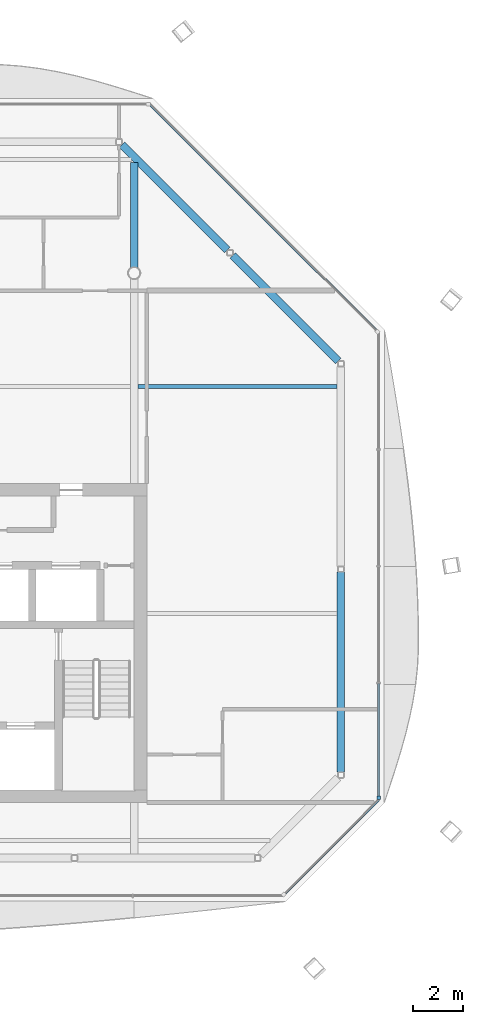
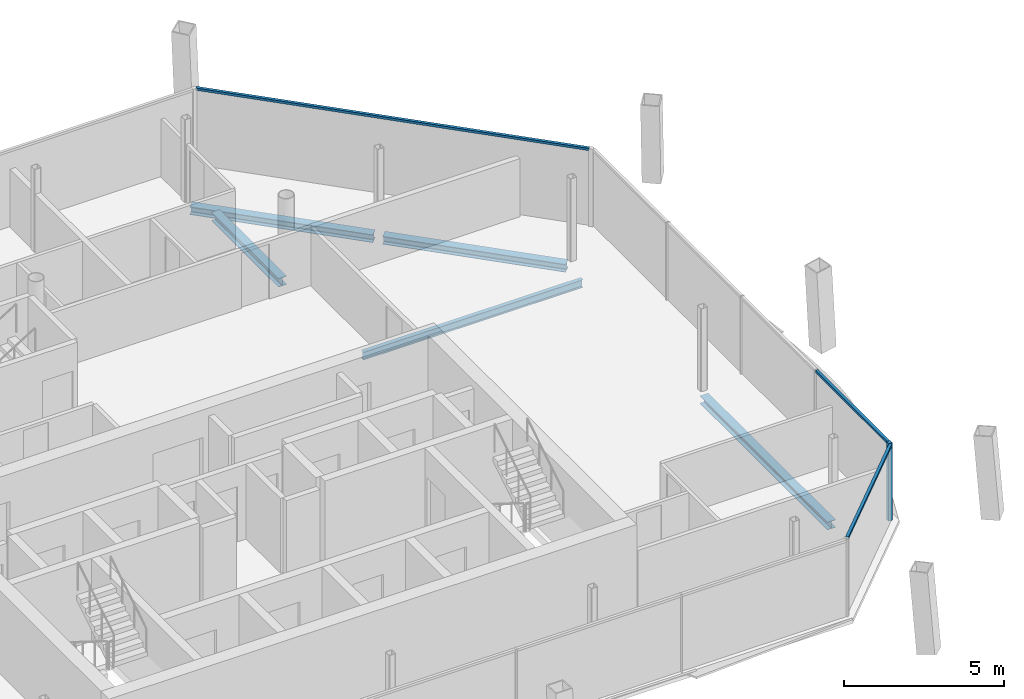
# One storey, part 6 of 13: 5 beams, 4 members, 3 elements without a shape of their own.
"""IFC4 building model written with IfcOpenShell, lengths in metres."""

import ifcopenshell
import ifcopenshell.guid

model = None  # the IFC model being written
_history = None  # IfcOwnerHistory: only IFC2X3 demands one
_inside = {}  # id of a spatial element -> (the spatial element, [elements in it])
_under = {}  # id of a project, library or spatial element -> (it, [spatial elements below it])
_declared = {}  # id of a project -> (the project, [libraries it declares])
_typed = {}  # id of a type object -> (the type object, [elements of that type])
_made_of = {}  # id of a material, layer set ... -> (it, [elements and type objects made of it])


def new_model(schema):
    """Start an empty IFC model of exactly this schema.

    Asked for "IFC4X3", IfcOpenShell would pick the latest addendum, in which some entities
    have other attributes; the version numbers below select the first issue.
    IFC2X3 requires an IfcOwnerHistory on every rooted entity: one is made here for all.
    """
    global model, _history
    if schema == "IFC4X3":
        model = ifcopenshell.file(schema_version=(4, 3, 0, 0))
    else:
        model = ifcopenshell.file(schema=schema)
    _inside.clear()
    _under.clear()
    _declared.clear()
    _typed.clear()
    _made_of.clear()
    _history = None
    if model.schema == "IFC2X3":
        org = make("IfcOrganization", Name="unknown")
        user = make(
            "IfcPersonAndOrganization",
            ThePerson=make("IfcPerson", FamilyName="unknown"),
            TheOrganization=org,
        )
        app = make(
            "IfcApplication",
            ApplicationDeveloper=org,
            Version="unknown",
            ApplicationFullName="unknown",
            ApplicationIdentifier="unknown",
        )
        _history = make(
            "IfcOwnerHistory",
            OwningUser=user,
            OwningApplication=app,
            ChangeAction="ADDED",
            CreationDate=0,
        )
    return model


def make(cls, **values):
    """One entity of the class cls with the attributes given. An attribute that is None is left unset."""
    return model.create_entity(
        cls, **{name: value for name, value in values.items() if value is not None}
    )


def rooted(cls, **values):
    """An entity with a GlobalId (a new one), such as an element, a storey or a relation."""
    return make(cls, GlobalId=ifcopenshell.guid.new(), OwnerHistory=_history, **values)


def si_unit(unit_type, name, prefix=None):
    """IfcSIUnit, for example si_unit("LENGTHUNIT", "METRE", prefix="MILLI")."""
    return make("IfcSIUnit", UnitType=unit_type, Prefix=prefix, Name=name)


def assignment(units):
    """IfcUnitAssignment: the units of a project."""
    return None if units is None else make("IfcUnitAssignment", Units=units)


def point(xyz):
    """IfcCartesianPoint."""
    return None if xyz is None else make("IfcCartesianPoint", Coordinates=xyz)


def direction(xyz):
    """IfcDirection."""
    return None if xyz is None else make("IfcDirection", DirectionRatios=xyz)


def frame(location, z_axis=None, x_axis=None):
    """IfcAxis2Placement3D, a coordinate frame: its origin and axes. An axis left out is left unset."""
    return make(
        "IfcAxis2Placement3D",
        Location=point(location),
        Axis=direction(z_axis),
        RefDirection=direction(x_axis),
    )


def frame_2d(location, x_axis=None):
    """IfcAxis2Placement2D, a coordinate frame in the plane: its origin and x axis."""
    return make(
        "IfcAxis2Placement2D", Location=point(location), RefDirection=direction(x_axis)
    )


def origin():
    """The frame at (0, 0, 0) with its axes left unset."""
    return frame((0.0, 0.0, 0.0))


def origin_2d():
    """The frame at (0, 0) in the plane with its x axis left unset."""
    return frame_2d((0.0, 0.0))


def place(relative_to, where):
    """IfcLocalPlacement: puts the frame where relative to a parent placement (None: the world)."""
    return make(
        "IfcLocalPlacement", PlacementRelTo=relative_to, RelativePlacement=where
    )


def context(
    kind, dimensions, precision=None, world=None, true_north=None, identifier=None
):
    """IfcGeometricRepresentationContext, for example the 3D "Model" context."""
    return make(
        "IfcGeometricRepresentationContext",
        ContextIdentifier=identifier,
        ContextType=kind,
        CoordinateSpaceDimension=dimensions,
        Precision=precision,
        WorldCoordinateSystem=world,
        TrueNorth=true_north,
    )


def subcontext(parent, identifier, kind, view, scale=None):
    """IfcGeometricRepresentationSubContext, for example "Body" below "Model"."""
    return make(
        "IfcGeometricRepresentationSubContext",
        ContextIdentifier=identifier,
        ContextType=kind,
        ParentContext=parent,
        TargetScale=scale,
        TargetView=view,
    )


def project(units=None, contexts=None):
    """IfcProject with its units and contexts."""
    return rooted(
        "IfcProject",
        Name="project",
        RepresentationContexts=contexts,
        UnitsInContext=assignment(units),
    )


def spatial(cls, under=None, at=None, **own):
    """A site, building, storey or space (cls), placed at a placement, below another one or the project."""
    s = rooted(cls, ObjectPlacement=at, **own)
    if under is not None:
        _under.setdefault(under.id(), (under, []))[1].append(s)
    return s


def profile(cls, at=None, kind="AREA", **sizes):
    """A parametric profile (cls). Its sizes go by their IFC names, for example OverallWidth=200.0."""
    return make(cls, ProfileType=kind, Position=at, **sizes)


def rectangle(**sizes):
    """IfcRectangleProfileDef."""
    return profile("IfcRectangleProfileDef", **sizes)


def i_section(**sizes):
    """IfcIShapeProfileDef."""
    return profile("IfcIShapeProfileDef", **sizes)


def extrude(swept, where, along, depth):
    """IfcExtrudedAreaSolid: the profile swept, set in the frame where, extruded along a direction by depth."""
    return make(
        "IfcExtrudedAreaSolid",
        SweptArea=swept,
        Position=where,
        ExtrudedDirection=direction(along),
        Depth=depth,
    )


def shape(context_of_items, identifier, shape_type, items):
    """IfcShapeRepresentation: the items that make up one representation, for example the "Body"."""
    return make(
        "IfcShapeRepresentation",
        ContextOfItems=context_of_items,
        RepresentationIdentifier=identifier,
        RepresentationType=shape_type,
        Items=items,
    )


def material(Name=None, Category=None):
    """IfcMaterial."""
    return make("IfcMaterial", Name=Name, Category=Category)


def material_profile(
    of_material, cross_section, Name=None, Category=None, Priority=None
):
    """IfcMaterialProfile: a cross section and its material."""
    return make(
        "IfcMaterialProfile",
        Name=Name,
        Material=of_material,
        Profile=cross_section,
        Priority=Priority,
        Category=Category,
    )


def profile_set(profiles, Name=None, composite=None):
    """IfcMaterialProfileSet."""
    return make(
        "IfcMaterialProfileSet",
        Name=Name,
        MaterialProfiles=profiles,
        CompositeProfile=composite,
    )


def made_of(thing, what):
    """Note that an element or type object is made of a material, layer set ...; save() writes the relation."""
    if what is not None:
        _made_of.setdefault(what.id(), (what, []))[1].append(thing)
    return thing


def type_object(cls, material=None, **own):
    """A type object (cls), such as IfcWallType, which elements share."""
    return made_of(rooted(cls, **own), material)


def element(
    cls,
    number,
    at=None,
    inside=None,
    cuts=None,
    type_object=None,
    material=None,
    context=None,
    identifier="Body",
    shape_type=None,
    held_by="IfcProductDefinitionShape",
    body=None,
    shapes=None,
    **own,
):
    """One element of the class cls, such as IfcWall. Its Tag is "e" and its number.

    at: its placement. inside: the storey or other place that contains it. cuts: it is an
    opening in that element (IfcRelVoidsElement). A single representation is given by context,
    identifier, shape_type and body (its items); several are given by shapes. held_by: the class
    of the entity that holds the representations. save() writes the other relations.
    """
    e = rooted(cls, Tag="e%d" % number, ObjectPlacement=at, **own)
    if body is not None:
        shapes = [shape(context, identifier, shape_type, body)]
    if shapes is not None:
        e.Representation = make(held_by, Representations=shapes)
    if inside is not None:
        _inside.setdefault(inside.id(), (inside, []))[1].append(e)
    if cuts is not None:
        rooted(
            "IfcRelVoidsElement", RelatingBuildingElement=cuts, RelatedOpeningElement=e
        )
    if type_object is not None:
        _typed.setdefault(type_object.id(), (type_object, []))[1].append(e)
    return made_of(e, material)


def aggregate(whole, parts):
    """IfcRelAggregates: a whole, such as a stair, and the parts it consists of."""
    return rooted("IfcRelAggregates", RelatingObject=whole, RelatedObjects=parts)


def save(model, path):
    """Write the relations noted so far, then the file.

    IfcRelAggregates (storeys below a building ...), IfcRelContainedInSpatialStructure (elements
    in a storey), IfcRelDefinesByType, IfcRelAssociatesMaterial and IfcRelDeclares: one each for
    every whole, place, type object, material and project.
    """
    for whole, parts in _under.values():
        aggregate(whole, parts)
    for where, things in _inside.values():
        rooted(
            "IfcRelContainedInSpatialStructure",
            RelatedElements=things,
            RelatingStructure=where,
        )
    for kind, things in _typed.values():
        rooted("IfcRelDefinesByType", RelatedObjects=things, RelatingType=kind)
    for what, things in _made_of.values():
        rooted("IfcRelAssociatesMaterial", RelatedObjects=things, RelatingMaterial=what)
    for by, libraries in _declared.values():
        rooted("IfcRelDeclares", RelatingContext=by, RelatedDefinitions=libraries)
    model.write(path)


model = new_model("IFC4")

# Units and contexts
model_context = context("Model", 3, precision=1e-05, world=origin(), true_north=direction((0.0, 1.0)))
body_context = subcontext(model_context, "Body", "Model", "MODEL_VIEW")
ifc_project = project(units=[si_unit("LENGTHUNIT", "METRE"), si_unit("AREAUNIT", "SQUARE_METRE"), si_unit("VOLUMEUNIT", "CUBIC_METRE"), si_unit("PLANEANGLEUNIT", "RADIAN"), si_unit("MASSUNIT", "GRAM", prefix="KILO")], contexts=[model_context])

# Site, building, storey
site_placement = place(None, origin())
site = spatial("IfcSite", under=ifc_project, at=site_placement, CompositionType="ELEMENT")
building_placement = place(site_placement, origin())
building = spatial("IfcBuilding", under=site, at=building_placement, Name="Tskaro Facet Tower", CompositionType="ELEMENT")
storey_placement = place(building_placement, frame((0.0, 0.0, 281.550048828125)))
storey = spatial("IfcBuildingStorey", under=building, at=storey_placement, Name="L75", CompositionType="ELEMENT", Elevation=281.550048828125)

# Curtain wall, member
ifc_material_1 = material(Name="Bronze anodised aluminium 6063-T6", Category="aluminium")
curtain_wall_type = type_object("IfcCurtainWallType", Name="Bronze residence curtain wall (FW3)", PredefinedType="NOTDEFINED", material=ifc_material_1)
curtain_wall_1_placement = place(storey_placement, origin())
curtain_wall_1 = element("IfcCurtainWall", 1, at=curtain_wall_1_placement, inside=storey, type_object=curtain_wall_type, Name="FW3 east facet L75", PredefinedType="NOTDEFINED")
ifc_material_profile_1 = material_profile(ifc_material_1, rectangle(XDim=0.139892578125, YDim=0.139892578125, at=origin_2d()), Name="Corner post 140x140")
ifc_profile_set_1 = profile_set([ifc_material_profile_1], Name="Bronze anodised aluminium 6063-T6")
member_type_1 = type_object("IfcMemberType", Name="FW3 bronze corner post 140x140", PredefinedType="MULLION", material=ifc_profile_set_1)
member_1_placement = place(storey_placement, frame((18.697998046875, -11.81689453125, 0.0), z_axis=(0.0, 0.0, 1.0), x_axis=(0.0, 1.0, 0.0)))
member_1 = element("IfcMember", 2, at=member_1_placement, type_object=member_type_1, Name="FW3 east corner post", PredefinedType="MULLION", context=body_context, shape_type="SweptSolid", body=[
    extrude(rectangle(XDim=0.139892578125, YDim=0.139892578125, at=origin_2d()), origin(), (0.0, 0.0, 1.0), 2.949951171875),
])

curtain_wall_2_placement = place(storey_placement, origin())
curtain_wall_2 = element("IfcCurtainWall", 3, at=curtain_wall_2_placement, inside=storey, type_object=curtain_wall_type, Name="FW3 south-east facet L75", PredefinedType="NOTDEFINED")
ifc_material_profile_2 = material_profile(ifc_material_1, rectangle(XDim=0.10009765625, YDim=0.090087890625, at=origin_2d()), Name="Transom 100x90")
ifc_profile_set_2 = profile_set([ifc_material_profile_2], Name="Bronze anodised aluminium 6063-T6")
member_type_2 = type_object("IfcMemberType", Name="FW3 bronze transom 100x90", PredefinedType="USERDEFINED", material=ifc_profile_set_2)
member_2_placement = place(storey_placement, frame((14.986083984375, -15.59912109375, 2.905029296875), z_axis=(0.707083527597, 0.707130034012, 0.0), x_axis=(-0.707130034012, 0.707083527597, 0.0)))
member_2 = element("IfcMember", 4, at=member_2_placement, type_object=member_type_2, Name="FW3 south-east transom 1.1", ObjectType="TRANSOM", PredefinedType="USERDEFINED", context=body_context, shape_type="SweptSolid", body=[
    extrude(rectangle(XDim=0.10009765625, YDim=0.090087890625, at=origin_2d()), origin(), (0.0, 0.0, 1.0), 5.24951171875),
])
aggregate(curtain_wall_2, [member_2])

# Member
member_3_placement = place(storey_placement, frame((18.697998046875, -11.7470703125, 2.905029296875), z_axis=(0.0, 1.0, 0.0), x_axis=(-1.0, 0.0, 0.0)))
member_3 = element("IfcMember", 5, at=member_3_placement, type_object=member_type_2, Name="FW3 east transom 1.1", ObjectType="TRANSOM", PredefinedType="USERDEFINED", context=body_context, shape_type="SweptSolid", body=[
    extrude(rectangle(XDim=0.10009765625, YDim=0.090087890625, at=origin_2d()), origin(), (0.0, 0.0, 1.0), 4.46337890625),
])

aggregate(curtain_wall_1, [member_1, member_3])

# Curtain wall, member
curtain_wall_3_placement = place(storey_placement, origin())
curtain_wall_3 = element("IfcCurtainWall", 6, at=curtain_wall_3_placement, inside=storey, type_object=curtain_wall_type, Name="FW3 north-east facet L75", PredefinedType="NOTDEFINED")
member_4_placement = place(storey_placement, frame((18.59912109375, 6.72509765625, 2.905029296875), z_axis=(-0.707116400705, 0.707097161537, 0.0), x_axis=(-0.707097161537, -0.707116400705, 0.0)))
member_4 = element("IfcMember", 7, at=member_4_placement, type_object=member_type_2, Name="FW3 north-east transom 1.1", ObjectType="TRANSOM", PredefinedType="USERDEFINED", context=body_context, shape_type="SweptSolid", body=[
    extrude(rectangle(XDim=0.10009765625, YDim=0.090087890625, at=origin_2d()), origin(), (0.0, 0.0, 1.0), 12.689697265625),
])
aggregate(curtain_wall_3, [member_4])

# Beams
ifc_material_2 = material(Name="Steel S355J2", Category="steel")
ifc_material_profile_3 = material_profile(ifc_material_2, i_section(OverallWidth=0.300048828125, OverallDepth=0.300048828125, WebThickness=0.010986328125, FlangeThickness=0.01904296875, FilletRadius=0.027099609375, at=origin_2d()), Name="HE 300 B")
ifc_profile_set_3 = profile_set([ifc_material_profile_3], Name="Steel S355J2")
beam_type_1 = type_object("IfcBeamType", Name="HE 300 B ring beam", PredefinedType="BEAM", material=ifc_profile_set_3)
beam_1_placement = place(storey_placement, frame((17.199951171875, -10.798095703125, -0.2900390625), z_axis=(0.0, 1.0, 0.0), x_axis=(-1.0, 0.0, 0.0)))
element("IfcBeam", 8, at=beam_1_placement, inside=storey, type_object=beam_type_1, Name="HE 300 B EB5-6", PredefinedType="BEAM", context=body_context, shape_type="SweptSolid", body=[
    extrude(i_section(OverallWidth=0.300048828125, OverallDepth=0.300048828125, WebThickness=0.010986328125, FlangeThickness=0.01904296875, FilletRadius=0.027099609375, at=origin_2d()), origin(), (0.0, 0.0, 1.0), 7.943115234375),
])
for number, where, z_axis, x_axis, name in (
    (9, (17.089111328125, 5.513916015625, -0.2900390625), (-0.707024112481, 0.707189440228, 0.0), (-0.707189440228, -0.707024112481, 0.0), "HE 300 B EB7-6"),
    (10, (12.691162109375, 9.912841796875, -0.2900390625), (-0.707189440228, 0.707024112481, 0.0), (-0.707024112481, -0.707189440228, 0.0), "HE 300 B EB8-6"),
):
    element("IfcBeam", number, at=place(storey_placement, frame(where, z_axis=z_axis, x_axis=x_axis)), inside=storey, type_object=beam_type_1, Name=name, PredefinedType="BEAM", context=body_context, shape_type="SweptSolid", body=[
        extrude(i_section(OverallWidth=0.300048828125, OverallDepth=0.300048828125, WebThickness=0.010986328125, FlangeThickness=0.01904296875, FilletRadius=0.027099609375, at=origin_2d()), origin(), (0.0, 0.0, 1.0), 5.90673828125),
    ])
ifc_material_profile_4 = material_profile(ifc_material_2, i_section(OverallWidth=0.300048828125, OverallDepth=0.330078125, WebThickness=0.009521484375, FlangeThickness=0.0166015625, FilletRadius=0.027099609375, at=origin_2d()), Name="HE 340 A")
ifc_profile_set_4 = profile_set([ifc_material_profile_4], Name="Steel S355J2")
beam_type_2 = type_object("IfcBeamType", Name="HE 340 A girder", PredefinedType="BEAM", material=ifc_profile_set_4)
beam_2_placement = place(storey_placement, frame((9.0, 9.22412109375, -0.304931640625), z_axis=(0.0, 1.0, 0.0), x_axis=(-1.0, 0.0, 0.0)))
element("IfcBeam", 11, at=beam_2_placement, inside=storey, type_object=beam_type_2, Name="HE 340 A GB5-3-6", PredefinedType="BEAM", context=body_context, shape_type="SweptSolid", body=[
    extrude(i_section(OverallWidth=0.300048828125, OverallDepth=0.330078125, WebThickness=0.009521484375, FlangeThickness=0.0166015625, FilletRadius=0.027099609375, at=origin_2d()), origin(), (0.0, 0.0, 1.0), 4.1669921875),
])
ifc_material_profile_5 = material_profile(ifc_material_2, i_section(OverallWidth=0.14990234375, OverallDepth=0.300048828125, WebThickness=0.007080078125, FlangeThickness=0.0107421875, FilletRadius=0.014892578125, at=origin_2d()), Name="IPE 300")
ifc_profile_set_5 = profile_set([ifc_material_profile_5], Name="Steel S355J2")
beam_type_3 = type_object("IfcBeamType", Name="IPE 300 secondary beam", PredefinedType="BEAM", material=ifc_profile_set_5)
beam_3_placement = place(storey_placement, frame((9.14990234375, 4.5, -0.2900390625), z_axis=(1.0, 0.0, 0.0), x_axis=(0.0, 1.0, 0.0)))
element("IfcBeam", 12, at=beam_3_placement, inside=storey, type_object=beam_type_3, Name="IPE 300 SB4a-3-6", PredefinedType="BEAM", context=body_context, shape_type="SweptSolid", body=[
    extrude(i_section(OverallWidth=0.14990234375, OverallDepth=0.300048828125, WebThickness=0.007080078125, FlangeThickness=0.0107421875, FilletRadius=0.014892578125, at=origin_2d()), origin(), (0.0, 0.0, 1.0), 7.900146484375),
])

save(model, "model.ifc")
